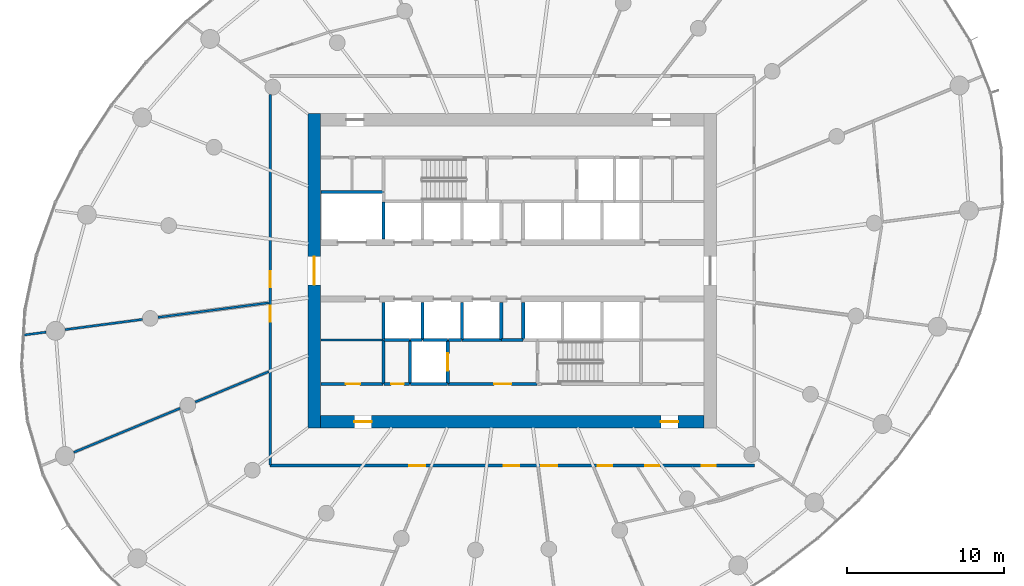
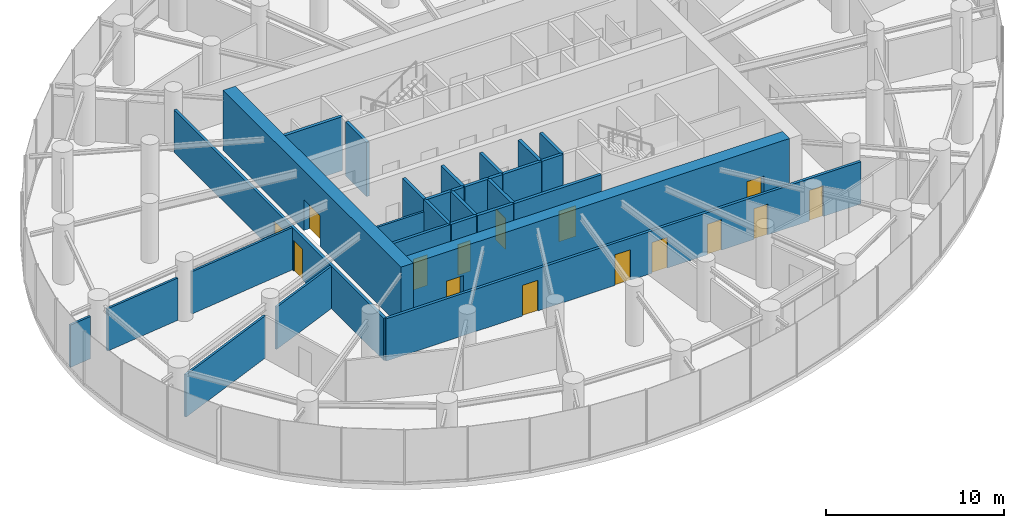
# One storey, part 10 of 17: 30 walls, 15 doors, 15 openings.
"""IFC4 building model written with IfcOpenShell, lengths in metres."""

import ifcopenshell
import ifcopenshell.guid

model = None  # the IFC model being written
_history = None  # IfcOwnerHistory: only IFC2X3 demands one
_inside = {}  # id of a spatial element -> (the spatial element, [elements in it])
_under = {}  # id of a project, library or spatial element -> (it, [spatial elements below it])
_declared = {}  # id of a project -> (the project, [libraries it declares])
_typed = {}  # id of a type object -> (the type object, [elements of that type])
_made_of = {}  # id of a material, layer set ... -> (it, [elements and type objects made of it])


def new_model(schema):
    """Start an empty IFC model of exactly this schema.

    Asked for "IFC4X3", IfcOpenShell would pick the latest addendum, in which some entities
    have other attributes; the version numbers below select the first issue.
    IFC2X3 requires an IfcOwnerHistory on every rooted entity: one is made here for all.
    """
    global model, _history
    if schema == "IFC4X3":
        model = ifcopenshell.file(schema_version=(4, 3, 0, 0))
    else:
        model = ifcopenshell.file(schema=schema)
    _inside.clear()
    _under.clear()
    _declared.clear()
    _typed.clear()
    _made_of.clear()
    _history = None
    if model.schema == "IFC2X3":
        org = make("IfcOrganization", Name="unknown")
        user = make(
            "IfcPersonAndOrganization",
            ThePerson=make("IfcPerson", FamilyName="unknown"),
            TheOrganization=org,
        )
        app = make(
            "IfcApplication",
            ApplicationDeveloper=org,
            Version="unknown",
            ApplicationFullName="unknown",
            ApplicationIdentifier="unknown",
        )
        _history = make(
            "IfcOwnerHistory",
            OwningUser=user,
            OwningApplication=app,
            ChangeAction="ADDED",
            CreationDate=0,
        )
    return model


def make(cls, **values):
    """One entity of the class cls with the attributes given. An attribute that is None is left unset."""
    return model.create_entity(
        cls, **{name: value for name, value in values.items() if value is not None}
    )


def rooted(cls, **values):
    """An entity with a GlobalId (a new one), such as an element, a storey or a relation."""
    return make(cls, GlobalId=ifcopenshell.guid.new(), OwnerHistory=_history, **values)


def si_unit(unit_type, name, prefix=None):
    """IfcSIUnit, for example si_unit("LENGTHUNIT", "METRE", prefix="MILLI")."""
    return make("IfcSIUnit", UnitType=unit_type, Prefix=prefix, Name=name)


def assignment(units):
    """IfcUnitAssignment: the units of a project."""
    return None if units is None else make("IfcUnitAssignment", Units=units)


def point(xyz):
    """IfcCartesianPoint."""
    return None if xyz is None else make("IfcCartesianPoint", Coordinates=xyz)


def direction(xyz):
    """IfcDirection."""
    return None if xyz is None else make("IfcDirection", DirectionRatios=xyz)


def frame(location, z_axis=None, x_axis=None):
    """IfcAxis2Placement3D, a coordinate frame: its origin and axes. An axis left out is left unset."""
    return make(
        "IfcAxis2Placement3D",
        Location=point(location),
        Axis=direction(z_axis),
        RefDirection=direction(x_axis),
    )


def frame_2d(location, x_axis=None):
    """IfcAxis2Placement2D, a coordinate frame in the plane: its origin and x axis."""
    return make(
        "IfcAxis2Placement2D", Location=point(location), RefDirection=direction(x_axis)
    )


def origin():
    """The frame at (0, 0, 0) with its axes left unset."""
    return frame((0.0, 0.0, 0.0))


def place(relative_to, where):
    """IfcLocalPlacement: puts the frame where relative to a parent placement (None: the world)."""
    return make(
        "IfcLocalPlacement", PlacementRelTo=relative_to, RelativePlacement=where
    )


def context(
    kind, dimensions, precision=None, world=None, true_north=None, identifier=None
):
    """IfcGeometricRepresentationContext, for example the 3D "Model" context."""
    return make(
        "IfcGeometricRepresentationContext",
        ContextIdentifier=identifier,
        ContextType=kind,
        CoordinateSpaceDimension=dimensions,
        Precision=precision,
        WorldCoordinateSystem=world,
        TrueNorth=true_north,
    )


def subcontext(parent, identifier, kind, view, scale=None):
    """IfcGeometricRepresentationSubContext, for example "Body" below "Model"."""
    return make(
        "IfcGeometricRepresentationSubContext",
        ContextIdentifier=identifier,
        ContextType=kind,
        ParentContext=parent,
        TargetScale=scale,
        TargetView=view,
    )


def project(units=None, contexts=None):
    """IfcProject with its units and contexts."""
    return rooted(
        "IfcProject",
        Name="project",
        RepresentationContexts=contexts,
        UnitsInContext=assignment(units),
    )


def spatial(cls, under=None, at=None, **own):
    """A site, building, storey or space (cls), placed at a placement, below another one or the project."""
    s = rooted(cls, ObjectPlacement=at, **own)
    if under is not None:
        _under.setdefault(under.id(), (under, []))[1].append(s)
    return s


def profile(cls, at=None, kind="AREA", **sizes):
    """A parametric profile (cls). Its sizes go by their IFC names, for example OverallWidth=200.0."""
    return make(cls, ProfileType=kind, Position=at, **sizes)


def rectangle(**sizes):
    """IfcRectangleProfileDef."""
    return profile("IfcRectangleProfileDef", **sizes)


def extrude(swept, where, along, depth):
    """IfcExtrudedAreaSolid: the profile swept, set in the frame where, extruded along a direction by depth."""
    return make(
        "IfcExtrudedAreaSolid",
        SweptArea=swept,
        Position=where,
        ExtrudedDirection=direction(along),
        Depth=depth,
    )


def shape(context_of_items, identifier, shape_type, items):
    """IfcShapeRepresentation: the items that make up one representation, for example the "Body"."""
    return make(
        "IfcShapeRepresentation",
        ContextOfItems=context_of_items,
        RepresentationIdentifier=identifier,
        RepresentationType=shape_type,
        Items=items,
    )


def source(mapping_origin, context_of_items, identifier, shape_type, items):
    """IfcRepresentationMap: a shape defined once, which mapped items show again and again."""
    return make(
        "IfcRepresentationMap",
        MappingOrigin=mapping_origin,
        MappedRepresentation=shape(context_of_items, identifier, shape_type, items),
    )


def transform(
    local_origin,
    x_axis=None,
    y_axis=None,
    z_axis=None,
    scale=None,
    scale2=None,
    scale3=None,
    uniform=True,
):
    """IfcCartesianTransformationOperator3D, or its non-uniform kind. x_axis, y_axis, z_axis: its Axis1, 2, 3."""
    if uniform:
        return make(
            "IfcCartesianTransformationOperator3D",
            Axis1=direction(x_axis),
            Axis2=direction(y_axis),
            LocalOrigin=point(local_origin),
            Scale=scale,
            Axis3=direction(z_axis),
        )
    return make(
        "IfcCartesianTransformationOperator3DnonUniform",
        Axis1=direction(x_axis),
        Axis2=direction(y_axis),
        LocalOrigin=point(local_origin),
        Scale=scale,
        Axis3=direction(z_axis),
        Scale2=scale2,
        Scale3=scale3,
    )


def mapped(mapping_source, mapping_target):
    """IfcMappedItem: shows the shape of a source again, moved by a transform."""
    return make(
        "IfcMappedItem", MappingSource=mapping_source, MappingTarget=mapping_target
    )


def material(Name=None, Category=None):
    """IfcMaterial."""
    return make("IfcMaterial", Name=Name, Category=Category)


def layer(
    of_material, thickness, ventilated=None, Name=None, Category=None, Priority=None
):
    """IfcMaterialLayer: one layer of a wall or slab, of a material (None: an air gap)."""
    return make(
        "IfcMaterialLayer",
        Material=of_material,
        LayerThickness=thickness,
        IsVentilated=ventilated,
        Name=Name,
        Category=Category,
        Priority=Priority,
    )


def layer_set(layers, Name=None):
    """IfcMaterialLayerSet."""
    return make("IfcMaterialLayerSet", MaterialLayers=layers, LayerSetName=Name)


def made_of(thing, what):
    """Note that an element or type object is made of a material, layer set ...; save() writes the relation."""
    if what is not None:
        _made_of.setdefault(what.id(), (what, []))[1].append(thing)
    return thing


def type_object(cls, material=None, **own):
    """A type object (cls), such as IfcWallType, which elements share."""
    return made_of(rooted(cls, **own), material)


def element(
    cls,
    number,
    at=None,
    inside=None,
    cuts=None,
    type_object=None,
    material=None,
    context=None,
    identifier="Body",
    shape_type=None,
    held_by="IfcProductDefinitionShape",
    body=None,
    shapes=None,
    **own,
):
    """One element of the class cls, such as IfcWall. Its Tag is "e" and its number.

    at: its placement. inside: the storey or other place that contains it. cuts: it is an
    opening in that element (IfcRelVoidsElement). A single representation is given by context,
    identifier, shape_type and body (its items); several are given by shapes. held_by: the class
    of the entity that holds the representations. save() writes the other relations.
    """
    e = rooted(cls, Tag="e%d" % number, ObjectPlacement=at, **own)
    if body is not None:
        shapes = [shape(context, identifier, shape_type, body)]
    if shapes is not None:
        e.Representation = make(held_by, Representations=shapes)
    if inside is not None:
        _inside.setdefault(inside.id(), (inside, []))[1].append(e)
    if cuts is not None:
        rooted(
            "IfcRelVoidsElement", RelatingBuildingElement=cuts, RelatedOpeningElement=e
        )
    if type_object is not None:
        _typed.setdefault(type_object.id(), (type_object, []))[1].append(e)
    return made_of(e, material)


def fill(opening, filler):
    """IfcRelFillsElement: the door or window that sits in an opening."""
    return rooted(
        "IfcRelFillsElement",
        RelatingOpeningElement=opening,
        RelatedBuildingElement=filler,
    )


def aggregate(whole, parts):
    """IfcRelAggregates: a whole, such as a stair, and the parts it consists of."""
    return rooted("IfcRelAggregates", RelatingObject=whole, RelatedObjects=parts)


def save(model, path):
    """Write the relations noted so far, then the file.

    IfcRelAggregates (storeys below a building ...), IfcRelContainedInSpatialStructure (elements
    in a storey), IfcRelDefinesByType, IfcRelAssociatesMaterial and IfcRelDeclares: one each for
    every whole, place, type object, material and project.
    """
    for whole, parts in _under.values():
        aggregate(whole, parts)
    for where, things in _inside.values():
        rooted(
            "IfcRelContainedInSpatialStructure",
            RelatedElements=things,
            RelatingStructure=where,
        )
    for kind, things in _typed.values():
        rooted("IfcRelDefinesByType", RelatedObjects=things, RelatingType=kind)
    for what, things in _made_of.values():
        rooted("IfcRelAssociatesMaterial", RelatedObjects=things, RelatingMaterial=what)
    for by, libraries in _declared.values():
        rooted("IfcRelDeclares", RelatingContext=by, RelatedDefinitions=libraries)
    model.write(path)


model = new_model("IFC4")

# Units and contexts
model_context = context("Model", 3, precision=1e-05, world=origin(), true_north=direction((0.0, 1.0)))
body_context = subcontext(model_context, "Body", "Model", "MODEL_VIEW")
ifc_project = project(units=[si_unit("LENGTHUNIT", "METRE"), si_unit("AREAUNIT", "SQUARE_METRE"), si_unit("VOLUMEUNIT", "CUBIC_METRE"), si_unit("PLANEANGLEUNIT", "RADIAN"), si_unit("MASSUNIT", "GRAM", prefix="KILO")], contexts=[model_context])

# Site, building, storey
site_placement = place(None, origin())
site = spatial("IfcSite", under=ifc_project, at=site_placement, CompositionType="ELEMENT")
building_placement = place(site_placement, origin())
building = spatial("IfcBuilding", under=site, at=building_placement, Name="Spindrift Exchange Tower", CompositionType="ELEMENT")
storey_placement = place(building_placement, frame((0.0, 0.0, 100.300048828125)))
storey = spatial("IfcBuildingStorey", under=building, at=storey_placement, Name="L23", CompositionType="ELEMENT", Elevation=100.300048828125)

# Wall, opening, door
ifc_material_1 = material(Name="Concrete 65 MPa", Category="concrete")
ifc_layer_1 = layer(ifc_material_1, 0.800048828125)
ifc_layer_set_1 = layer_set([ifc_layer_1], Name="RC Core Wall 800 Concrete 65 MPa")
wall_type_1 = type_object("IfcWallType", Name="RC Core Wall 800 Concrete 65 MPa", PredefinedType="SHEAR", material=ifc_layer_set_1)
wall_1_placement = place(storey_placement, frame((39.39990234375, 58.0, 0.0), z_axis=(0.0, 0.0, 1.0), x_axis=(0.0, -1.0, 0.0)))
wall_1 = element("IfcWall", 1, at=wall_1_placement, inside=storey, type_object=wall_type_1, Name="Core wall W L23", PredefinedType="SHEAR", context=body_context, shape_type="SweptSolid", body=[
    extrude(rectangle(XDim=20.0, YDim=0.800048828125, at=frame_2d((10.0, 0.0))), origin(), (0.0, 0.0, 1.0), 4.099853515625),
])
opening_1_placement = place(wall_1_placement, frame((9.10009765625, 0.0, 0.0)))
opening_1 = element("IfcOpeningElement", 2, at=opening_1_placement, cuts=wall_1, Name="Opening L23-D1", PredefinedType="OPENING", context=body_context, shape_type="SweptSolid", body=[
    extrude(rectangle(XDim=1.800048828125, YDim=2.10009765625, at=frame_2d((0.89990234375, 1.050048828125))), frame((0.0, 0.409912109375, 0.0), z_axis=(0.0, -1.0, 0.0), x_axis=(1.0, 0.0, 0.0)), (0.0, 0.0, 1.0), 0.820068359375),
])
ifc_material_2 = material(Name="Timber-core fire door", Category="wood")
door_type_1 = type_object("IfcDoorType", Name="DR-LOBBY-1800", OperationType="NOTDEFINED", PredefinedType="DOOR", material=ifc_material_2)
shared_shape_1 = source(origin(), body_context, "Body", "SweptSolid", [
    extrude(rectangle(XDim=1.800048828125, YDim=2.10009765625, at=frame_2d((0.89990234375, 1.050048828125))), frame((0.0, 0.02490234375, 0.0), z_axis=(0.0, -1.0, 0.0), x_axis=(1.0, 0.0, 0.0)), (0.0, 0.0, 1.0), 0.050048828125),
])
door_1_placement = place(opening_1_placement, origin())
door_1 = element("IfcDoor", 3, at=door_1_placement, inside=storey, type_object=door_type_1, Name="L23 Lobby door 1", OperationType="SINGLE_SWING_LEFT", OverallHeight=2.10009765625, OverallWidth=1.800048828125, PredefinedType="DOOR", context=body_context, shape_type="MappedRepresentation", body=[
    mapped(shared_shape_1, transform((0.0, 0.0, 0.0), scale=1.0)),
])
fill(opening_1, door_1)

# Wall, openings, doors
wall_2_placement = place(storey_placement, frame((39.800048828125, 38.39990234375, 0.0), z_axis=(0.0, 0.0, 1.0), x_axis=(1.0, 0.0, 0.0)))
wall_2 = element("IfcWall", 4, at=wall_2_placement, inside=storey, type_object=wall_type_1, Name="Core wall S L23", PredefinedType="SHEAR", context=body_context, shape_type="SweptSolid", body=[
    extrude(rectangle(XDim=24.39990234375, YDim=0.800048828125, at=frame_2d((12.199951171875, 0.0))), origin(), (0.0, 0.0, 1.0), 4.099853515625),
])
opening_2_placement = place(wall_2_placement, frame((21.64990234375, 0.0, 0.0)))
opening_2 = element("IfcOpeningElement", 5, at=opening_2_placement, cuts=wall_2, Name="Opening L23-D22", PredefinedType="OPENING", context=body_context, shape_type="SweptSolid", body=[
    extrude(rectangle(XDim=1.10009765625, YDim=2.10009765625, at=frame_2d((0.550048828125, 1.050048828125))), frame((0.0, 0.409912109375, 0.0), z_axis=(0.0, -1.0, 0.0), x_axis=(1.0, 0.0, 0.0)), (0.0, 0.0, 1.0), 0.820068359375),
])
opening_3_placement = place(wall_2_placement, frame((2.14990234375, 0.0, 0.0)))
opening_3 = element("IfcOpeningElement", 6, at=opening_3_placement, cuts=wall_2, Name="Opening L23-D23", PredefinedType="OPENING", context=body_context, shape_type="SweptSolid", body=[
    extrude(rectangle(XDim=1.10009765625, YDim=2.10009765625, at=frame_2d((0.550048828125, 1.050048828125))), frame((0.0, 0.409912109375, 0.0), z_axis=(0.0, -1.0, 0.0), x_axis=(1.0, 0.0, 0.0)), (0.0, 0.0, 1.0), 0.820068359375),
])
ifc_material_3 = material(Name="Steel fire door", Category="steel")
door_type_2 = type_object("IfcDoorType", Name="DR-STAIR-1100", OperationType="NOTDEFINED", PredefinedType="DOOR", material=ifc_material_3)
shared_shape_2 = source(origin(), body_context, "Body", "SweptSolid", [
    extrude(rectangle(XDim=1.10009765625, YDim=2.10009765625, at=frame_2d((0.550048828125, 1.050048828125))), frame((0.0, 0.02490234375, 0.0), z_axis=(0.0, -1.0, 0.0), x_axis=(1.0, 0.0, 0.0)), (0.0, 0.0, 1.0), 0.050048828125),
])
door_2_placement = place(opening_2_placement, origin())
door_2 = element("IfcDoor", 7, at=door_2_placement, inside=storey, type_object=door_type_2, Name="L23 Stair door 22", OperationType="SINGLE_SWING_RIGHT", OverallHeight=2.10009765625, OverallWidth=1.10009765625, PredefinedType="DOOR", context=body_context, shape_type="MappedRepresentation", body=[
    mapped(shared_shape_2, transform((0.0, 0.0, 0.0), scale=1.0)),
])
fill(opening_2, door_2)
door_3_placement = place(opening_3_placement, origin())
door_3 = element("IfcDoor", 8, at=door_3_placement, inside=storey, type_object=door_type_2, Name="L23 Stair door 23", OperationType="SINGLE_SWING_LEFT", OverallHeight=2.10009765625, OverallWidth=1.10009765625, PredefinedType="DOOR", context=body_context, shape_type="MappedRepresentation", body=[
    mapped(shared_shape_2, transform((0.0, 0.0, 0.0), scale=1.0)),
])
fill(opening_3, door_3)

# Wall, opening, door
ifc_material_4 = material(Name="Fire-rated plasterboard partition", Category="gypsum")
ifc_layer_2 = layer(ifc_material_4, 0.179931640625)
ifc_layer_set_2 = layer_set([ifc_layer_2], Name="W-CORR-180")
wall_type_2 = type_object("IfcWallType", Name="W-CORR-180", PredefinedType="PARTITIONING", material=ifc_layer_set_2)
wall_3_placement = place(storey_placement, frame((39.820068359375, 40.800048828125, 0.0), z_axis=(0.0, 0.0, 1.0), x_axis=(1.0, 0.0, 0.0)))
wall_3 = element("IfcWall", 9, at=wall_3_placement, inside=storey, type_object=wall_type_2, Name="L23 Partition wall 63", PredefinedType="PARTITIONING", context=body_context, shape_type="SweptSolid", body=[
    extrude(rectangle(XDim=3.949951171875, YDim=0.179931640625, at=frame_2d((1.97509765625, 0.0))), origin(), (0.0, 0.0, 1.0), 3.699951171875),
])
opening_4_placement = place(wall_3_placement, frame((1.60009765625, 0.0, 0.0)))
opening_4 = element("IfcOpeningElement", 10, at=opening_4_placement, cuts=wall_3, Name="Opening L23-D48", PredefinedType="OPENING", context=body_context, shape_type="SweptSolid", body=[
    extrude(rectangle(XDim=0.89990234375, YDim=2.10009765625, at=frame_2d((0.449951171875, 1.050048828125))), frame((0.0, 0.099853515625, 0.0), z_axis=(0.0, -1.0, 0.0), x_axis=(1.0, 0.0, 0.0)), (0.0, 0.0, 1.0), 0.199951171875),
])
ifc_material_5 = material(Name="Steel access door", Category="steel")
door_type_3 = type_object("IfcDoorType", Name="DR-RISER-900", OperationType="NOTDEFINED", PredefinedType="DOOR", material=ifc_material_5)
shared_shape_3 = source(origin(), body_context, "Body", "SweptSolid", [
    extrude(rectangle(XDim=0.89990234375, YDim=2.10009765625, at=frame_2d((0.449951171875, 1.050048828125))), frame((0.0, 0.02490234375, 0.0), z_axis=(0.0, -1.0, 0.0), x_axis=(1.0, 0.0, 0.0)), (0.0, 0.0, 1.0), 0.050048828125),
])
door_4_placement = place(opening_4_placement, origin())
door_4 = element("IfcDoor", 11, at=door_4_placement, inside=storey, type_object=door_type_3, Name="L23 Riser door 48", OperationType="SINGLE_SWING_RIGHT", OverallHeight=2.10009765625, OverallWidth=0.89990234375, PredefinedType="DOOR", context=body_context, shape_type="MappedRepresentation", body=[
    mapped(shared_shape_3, transform((0.0, 0.0, 0.0), scale=1.0)),
])
fill(opening_4, door_4)

# Walls
ifc_layer_3 = layer(ifc_material_4, 0.139892578125)
ifc_layer_set_3 = layer_set([ifc_layer_3], Name="W-PART-140")
wall_type_3 = type_object("IfcWallType", Name="W-PART-140", PredefinedType="PARTITIONING", material=ifc_layer_set_3)
wall_4_placement = place(storey_placement, frame((43.77001953125, 43.60009765625, 0.0), z_axis=(0.0, 0.0, 1.0), x_axis=(-1.0, 0.0, 0.0)))
element("IfcWall", 12, at=wall_4_placement, inside=storey, type_object=wall_type_3, Name="L23 Partition wall 94", PredefinedType="PARTITIONING", context=body_context, shape_type="SweptSolid", body=[
    extrude(rectangle(XDim=3.949951171875, YDim=0.139892578125, at=frame_2d((1.97509765625, 0.0))), origin(), (0.0, 0.0, 1.0), 2.89990234375),
])
ifc_layer_4 = layer(ifc_material_4, 0.139892578125)
ifc_layer_set_4 = layer_set([ifc_layer_4], Name="W-PLANT-140")
wall_type_4 = type_object("IfcWallType", Name="W-PLANT-140", PredefinedType="PARTITIONING", material=ifc_layer_set_4)
wall_5_placement = place(storey_placement, frame((30.8701171875, 39.247802734375, 0.0), z_axis=(0.0, 0.0, 1.0), x_axis=(-0.923871790576, -0.382702122514, 0.0)))
element("IfcWall", 13, at=wall_5_placement, inside=storey, type_object=wall_type_4, Name="L23 Partition wall 67", PredefinedType="PARTITIONING", context=body_context, shape_type="SweptSolid", body=[
    extrude(rectangle(XDim=7.32421875, YDim=0.139892578125, at=frame_2d((3.662109375, 0.0))), origin(), (0.0, 0.0, 1.0), 2.89990234375),
])
wall_6_placement = place(storey_placement, frame((36.510009765625, 45.960693359375, 0.0), z_axis=(0.0, 0.0, 1.0), x_axis=(-0.99144622305, -0.130515848849, 0.0)))
element("IfcWall", 14, at=wall_6_placement, inside=storey, type_object=wall_type_4, Name="L23 Partition wall 68", PredefinedType="PARTITIONING", context=body_context, shape_type="SweptSolid", body=[
    extrude(rectangle(XDim=7.1044921875, YDim=0.139892578125, at=frame_2d((3.55224609375, 0.0))), origin(), (0.0, 0.0, 1.0), 2.89990234375),
])
wall_7_placement = place(storey_placement, frame((36.510009765625, 41.583740234375, 0.0), z_axis=(0.0, 0.0, 1.0), x_axis=(-0.923890025086, -0.382658100067, 0.0)))
element("IfcWall", 15, at=wall_7_placement, inside=storey, type_object=wall_type_4, Name="L23 Partition wall 83", PredefinedType="PARTITIONING", context=body_context, shape_type="SweptSolid", body=[
    extrude(rectangle(XDim=5.068359375, YDim=0.139892578125, at=frame_2d((2.5341796875, 0.0))), origin(), (0.0, 0.0, 1.0), 2.89990234375),
])
wall_8_placement = place(storey_placement, frame((28.466064453125, 44.901611328125, 0.0), z_axis=(0.0, 0.0, 1.0), x_axis=(-0.991443414541, -0.130537181533, 0.0)))
element("IfcWall", 16, at=wall_8_placement, inside=storey, type_object=wall_type_4, Name="L23 Partition wall 85", PredefinedType="PARTITIONING", context=body_context, shape_type="SweptSolid", body=[
    extrude(rectangle(XDim=4.965576171875, YDim=0.139892578125, at=frame_2d((2.48291015625, 0.0))), origin(), (0.0, 0.0, 1.0), 2.89990234375),
])
wall_9_placement = place(storey_placement, frame((22.344482421875, 44.095703125, 0.0), z_axis=(0.0, 0.0, 1.0), x_axis=(-0.991440859851, -0.130556583206, 0.0)))
element("IfcWall", 17, at=wall_9_placement, inside=storey, type_object=wall_type_4, Name="L23 Partition wall 115", PredefinedType="PARTITIONING", context=body_context, shape_type="SweptSolid", body=[
    extrude(rectangle(XDim=1.423095703125, YDim=0.139892578125, at=frame_2d((0.71142578125, 0.0))), origin(), (0.0, 0.0, 1.0), 2.89990234375),
])

# Wall, openings, doors
ifc_layer_5 = layer(ifc_material_4, 0.179931640625)
ifc_layer_set_5 = layer_set([ifc_layer_5], Name="W-PLANT-180")
wall_type_5 = type_object("IfcWallType", Name="W-PLANT-180", PredefinedType="PARTITIONING", material=ifc_layer_set_5)
wall_10_placement = place(storey_placement, frame((67.39990234375, 35.60009765625, 0.0), z_axis=(0.0, 0.0, 1.0), x_axis=(-1.0, 0.0, 0.0)))
wall_10 = element("IfcWall", 18, at=wall_10_placement, inside=storey, type_object=wall_type_5, Name="L23 Partition wall 57", PredefinedType="PARTITIONING", context=body_context, shape_type="SweptSolid", body=[
    extrude(rectangle(XDim=30.7998046875, YDim=0.179931640625, at=frame_2d((15.39990234375, 0.0))), origin(), (0.0, 0.0, 1.0), 2.89990234375),
])
opening_5_placement = place(wall_10_placement, frame((9.050048828125, 0.0, 0.0)))
opening_5 = element("IfcOpeningElement", 19, at=opening_5_placement, cuts=wall_10, Name="Opening L23-D24", PredefinedType="OPENING", context=body_context, shape_type="SweptSolid", body=[
    extrude(rectangle(XDim=0.89990234375, YDim=2.10009765625, at=frame_2d((0.449951171875, 1.050048828125))), frame((0.0, 0.099853515625, 0.0), z_axis=(0.0, -1.0, 0.0), x_axis=(1.0, 0.0, 0.0)), (0.0, 0.0, 1.0), 0.199951171875),
])
opening_6_placement = place(wall_10_placement, frame((6.050048828125, 0.0, 0.0)))
opening_6 = element("IfcOpeningElement", 20, at=opening_6_placement, cuts=wall_10, Name="Opening L23-D25", PredefinedType="OPENING", context=body_context, shape_type="SweptSolid", body=[
    extrude(rectangle(XDim=0.89990234375, YDim=2.10009765625, at=frame_2d((0.449951171875, 1.050048828125))), frame((0.0, 0.099853515625, 0.0), z_axis=(0.0, -1.0, 0.0), x_axis=(1.0, 0.0, 0.0)), (0.0, 0.0, 1.0), 0.199951171875),
])
opening_7_placement = place(wall_10_placement, frame((2.449951171875, 0.0, 0.0)))
opening_7 = element("IfcOpeningElement", 21, at=opening_7_placement, cuts=wall_10, Name="Opening L23-D26", PredefinedType="OPENING", context=body_context, shape_type="SweptSolid", body=[
    extrude(rectangle(XDim=0.89990234375, YDim=2.10009765625, at=frame_2d((0.449951171875, 1.050048828125))), frame((0.0, 0.099853515625, 0.0), z_axis=(0.0, -1.0, 0.0), x_axis=(1.0, 0.0, 0.0)), (0.0, 0.0, 1.0), 0.199951171875),
])
opening_8_placement = place(wall_10_placement, frame((20.949951171875, 0.0, 0.0)))
opening_8 = element("IfcOpeningElement", 22, at=opening_8_placement, cuts=wall_10, Name="Opening L23-D41", PredefinedType="OPENING", context=body_context, shape_type="SweptSolid", body=[
    extrude(rectangle(XDim=1.0, YDim=2.10009765625, at=frame_2d((0.5, 1.050048828125))), frame((0.0, 0.099853515625, 0.0), z_axis=(0.0, -1.0, 0.0), x_axis=(1.0, 0.0, 0.0)), (0.0, 0.0, 1.0), 0.199951171875),
])
opening_9_placement = place(wall_10_placement, frame((14.949951171875, 0.0, 0.0)))
opening_9 = element("IfcOpeningElement", 23, at=opening_9_placement, cuts=wall_10, Name="Opening L23-D43", PredefinedType="OPENING", context=body_context, shape_type="SweptSolid", body=[
    extrude(rectangle(XDim=1.0, YDim=2.10009765625, at=frame_2d((0.5, 1.050048828125))), frame((0.0, 0.099853515625, 0.0), z_axis=(0.0, -1.0, 0.0), x_axis=(1.0, 0.0, 0.0)), (0.0, 0.0, 1.0), 0.199951171875),
])
opening_10_placement = place(wall_10_placement, frame((12.550048828125, 0.0, 0.0)))
opening_10 = element("IfcOpeningElement", 24, at=opening_10_placement, cuts=wall_10, Name="Opening L23-D44", PredefinedType="OPENING", context=body_context, shape_type="SweptSolid", body=[
    extrude(rectangle(XDim=1.0, YDim=2.10009765625, at=frame_2d((0.5, 1.050048828125))), frame((0.0, 0.099853515625, 0.0), z_axis=(0.0, -1.0, 0.0), x_axis=(1.0, 0.0, 0.0)), (0.0, 0.0, 1.0), 0.199951171875),
])
door_type_4 = type_object("IfcDoorType", Name="DR-ROOM-1000", OperationType="NOTDEFINED", PredefinedType="DOOR", material=ifc_material_2)
shared_shape_4 = source(origin(), body_context, "Body", "SweptSolid", [
    extrude(rectangle(XDim=1.0, YDim=2.10009765625, at=frame_2d((0.5, 1.050048828125))), frame((0.0, 0.02490234375, 0.0), z_axis=(0.0, -1.0, 0.0), x_axis=(1.0, 0.0, 0.0)), (0.0, 0.0, 1.0), 0.050048828125),
])
door_5_placement = place(opening_8_placement, origin())
door_5 = element("IfcDoor", 25, at=door_5_placement, inside=storey, type_object=door_type_4, Name="L23 Door 41", OperationType="SINGLE_SWING_LEFT", OverallHeight=2.10009765625, OverallWidth=1.0, PredefinedType="DOOR", context=body_context, shape_type="MappedRepresentation", body=[
    mapped(shared_shape_4, transform((0.0, 0.0, 0.0), scale=1.0)),
])
fill(opening_8, door_5)
door_6_placement = place(opening_9_placement, origin())
door_6 = element("IfcDoor", 26, at=door_6_placement, inside=storey, type_object=door_type_4, Name="L23 Door 43", OperationType="SINGLE_SWING_LEFT", OverallHeight=2.10009765625, OverallWidth=1.0, PredefinedType="DOOR", context=body_context, shape_type="MappedRepresentation", body=[
    mapped(shared_shape_4, transform((0.0, 0.0, 0.0), scale=1.0)),
])
fill(opening_9, door_6)
door_7_placement = place(opening_10_placement, origin())
door_7 = element("IfcDoor", 27, at=door_7_placement, inside=storey, type_object=door_type_4, Name="L23 Door 44", OperationType="SINGLE_SWING_RIGHT", OverallHeight=2.10009765625, OverallWidth=1.0, PredefinedType="DOOR", context=body_context, shape_type="MappedRepresentation", body=[
    mapped(shared_shape_4, transform((0.0, 0.0, 0.0), scale=1.0)),
])
fill(opening_10, door_7)
ifc_material_6 = material(Name="Laminate washroom door", Category="wood")
door_type_5 = type_object("IfcDoorType", Name="DR-WC-900", OperationType="NOTDEFINED", PredefinedType="DOOR", material=ifc_material_6)
shared_shape_5 = source(origin(), body_context, "Body", "SweptSolid", [
    extrude(rectangle(XDim=0.89990234375, YDim=2.10009765625, at=frame_2d((0.449951171875, 1.050048828125))), frame((0.0, 0.02490234375, 0.0), z_axis=(0.0, -1.0, 0.0), x_axis=(1.0, 0.0, 0.0)), (0.0, 0.0, 1.0), 0.050048828125),
])
door_8_placement = place(opening_5_placement, origin())
door_8 = element("IfcDoor", 28, at=door_8_placement, inside=storey, type_object=door_type_5, Name="L23 WC door 24", OperationType="SINGLE_SWING_RIGHT", OverallHeight=2.10009765625, OverallWidth=0.89990234375, PredefinedType="DOOR", context=body_context, shape_type="MappedRepresentation", body=[
    mapped(shared_shape_5, transform((0.0, 0.0, 0.0), scale=1.0)),
])
fill(opening_5, door_8)
door_9_placement = place(opening_6_placement, origin())
door_9 = element("IfcDoor", 29, at=door_9_placement, inside=storey, type_object=door_type_5, Name="L23 WC door 25", OperationType="SINGLE_SWING_LEFT", OverallHeight=2.10009765625, OverallWidth=0.89990234375, PredefinedType="DOOR", context=body_context, shape_type="MappedRepresentation", body=[
    mapped(shared_shape_5, transform((0.0, 0.0, 0.0), scale=1.0)),
])
fill(opening_6, door_9)
door_10_placement = place(opening_7_placement, origin())
door_10 = element("IfcDoor", 30, at=door_10_placement, inside=storey, type_object=door_type_5, Name="L23 WC door 26", OperationType="SINGLE_SWING_RIGHT", OverallHeight=2.10009765625, OverallWidth=0.89990234375, PredefinedType="DOOR", context=body_context, shape_type="MappedRepresentation", body=[
    mapped(shared_shape_5, transform((0.0, 0.0, 0.0), scale=1.0)),
])
fill(opening_7, door_10)

wall_11_placement = place(storey_placement, frame((36.60009765625, 35.6298828125, 0.0), z_axis=(0.0, 0.0, 1.0), x_axis=(0.0, 1.0, 0.0)))
wall_11 = element("IfcWall", 31, at=wall_11_placement, inside=storey, type_object=wall_type_5, Name="L23 Partition wall 60", PredefinedType="PARTITIONING", context=body_context, shape_type="SweptSolid", body=[
    extrude(rectangle(XDim=23.58251953125, YDim=0.179931640625, at=frame_2d((11.791259765625, 0.0))), origin(), (0.0, 0.0, 1.0), 2.89990234375),
])
opening_11_placement = place(wall_11_placement, frame((11.33251953125, 0.0, 0.0)))
opening_11 = element("IfcOpeningElement", 32, at=opening_11_placement, cuts=wall_11, Name="Opening L23-D39", PredefinedType="OPENING", context=body_context, shape_type="SweptSolid", body=[
    extrude(rectangle(XDim=1.0, YDim=2.10009765625, at=frame_2d((0.5, 1.050048828125))), frame((0.0, 0.099853515625, 0.0), z_axis=(0.0, -1.0, 0.0), x_axis=(1.0, 0.0, 0.0)), (0.0, 0.0, 1.0), 0.199951171875),
])
opening_12_placement = place(wall_11_placement, frame((9.132568359375, 0.0, 0.0)))
opening_12 = element("IfcOpeningElement", 33, at=opening_12_placement, cuts=wall_11, Name="Opening L23-D40", PredefinedType="OPENING", context=body_context, shape_type="SweptSolid", body=[
    extrude(rectangle(XDim=1.0, YDim=2.10009765625, at=frame_2d((0.5, 1.050048828125))), frame((0.0, 0.099853515625, 0.0), z_axis=(0.0, -1.0, 0.0), x_axis=(1.0, 0.0, 0.0)), (0.0, 0.0, 1.0), 0.199951171875),
])
door_11_placement = place(opening_11_placement, origin())
door_11 = element("IfcDoor", 34, at=door_11_placement, inside=storey, type_object=door_type_4, Name="L23 Door 39", OperationType="SINGLE_SWING_LEFT", OverallHeight=2.10009765625, OverallWidth=1.0, PredefinedType="DOOR", context=body_context, shape_type="MappedRepresentation", body=[
    mapped(shared_shape_4, transform((0.0, 0.0, 0.0), scale=1.0)),
])
fill(opening_11, door_11)
door_12_placement = place(opening_12_placement, origin())
door_12 = element("IfcDoor", 35, at=door_12_placement, inside=storey, type_object=door_type_4, Name="L23 Door 40", OperationType="SINGLE_SWING_RIGHT", OverallHeight=2.10009765625, OverallWidth=1.0, PredefinedType="DOOR", context=body_context, shape_type="MappedRepresentation", body=[
    mapped(shared_shape_4, transform((0.0, 0.0, 0.0), scale=1.0)),
])
fill(opening_12, door_12)

# Walls
ifc_material_7 = material(Name="Concrete 40 MPa", Category="concrete")
ifc_layer_6 = layer(ifc_material_7, 0.199951171875)
ifc_layer_set_6 = layer_set([ifc_layer_6], Name="W-SHAFT-200")
wall_type_6 = type_object("IfcWallType", Name="W-SHAFT-200", PredefinedType="SOLIDWALL", material=ifc_layer_set_6)
for number, where, z_axis, x_axis, name in (
    (36, (43.800048828125, 43.60009765625, 0.0), (0.0, 0.0, 1.0), (0.0, -1.0, 0.0), "L23 Shaft wall 6"),
    (37, (45.5, 43.60009765625, 0.0), (0.0, 0.0, 1.0), (0.0, -1.0, 0.0), "L23 Shaft wall 7"),
):
    element("IfcWall", number, at=place(storey_placement, frame(where, z_axis=z_axis, x_axis=x_axis)), inside=storey, type_object=wall_type_6, Name=name, PredefinedType="SOLIDWALL", context=body_context, shape_type="SweptSolid", body=[
        extrude(rectangle(XDim=2.800048828125, YDim=0.199951171875, at=frame_2d((1.39990234375, 0.0))), origin(), (0.0, 0.0, 1.0), 3.699951171875),
    ])

# Wall, opening, door
wall_12_placement = place(storey_placement, frame((47.89990234375, 40.830078125, 0.0), z_axis=(0.0, 0.0, 1.0), x_axis=(0.0, 1.0, 0.0)))
wall_12 = element("IfcWall", 38, at=wall_12_placement, inside=storey, type_object=wall_type_6, Name="L23 Shaft wall 8", PredefinedType="SOLIDWALL", context=body_context, shape_type="SweptSolid", body=[
    extrude(rectangle(XDim=2.77001953125, YDim=0.199951171875, at=frame_2d((1.385009765625, 0.0))), origin(), (0.0, 0.0, 1.0), 3.699951171875),
])
opening_13_placement = place(wall_12_placement, frame((0.820068359375, 0.0, 0.0)))
opening_13 = element("IfcOpeningElement", 39, at=opening_13_placement, cuts=wall_12, Name="Opening L23-D10", PredefinedType="OPENING", context=body_context, shape_type="SweptSolid", body=[
    extrude(rectangle(XDim=1.10009765625, YDim=2.10009765625, at=frame_2d((0.550048828125, 1.050048828125))), frame((0.0, 0.10986328125, 0.0), z_axis=(0.0, -1.0, 0.0), x_axis=(1.0, 0.0, 0.0)), (0.0, 0.0, 1.0), 0.219970703125),
])
ifc_material_8 = material(Name="Stainless steel landing door", Category="steel")
door_type_6 = type_object("IfcDoorType", Name="DR-LANDING-1100-SL", OperationType="DOUBLE_DOOR_SLIDING", PredefinedType="USERDEFINED", material=ifc_material_8)
shared_shape_6 = source(origin(), body_context, "Body", "SweptSolid", [
    extrude(rectangle(XDim=1.10009765625, YDim=2.10009765625, at=frame_2d((0.550048828125, 1.050048828125))), frame((0.0, 0.02490234375, 0.0), z_axis=(0.0, -1.0, 0.0), x_axis=(1.0, 0.0, 0.0)), (0.0, 0.0, 1.0), 0.050048828125),
])
door_13_placement = place(opening_13_placement, origin())
door_13 = element("IfcDoor", 40, at=door_13_placement, inside=storey, type_object=door_type_6, Name="L23 Lift landing door 10", ObjectType="LANDING DOOR", OperationType="DOUBLE_DOOR_SLIDING", OverallHeight=2.10009765625, OverallWidth=1.10009765625, PredefinedType="USERDEFINED", context=body_context, shape_type="MappedRepresentation", body=[
    mapped(shared_shape_6, transform((0.0, 0.0, 0.0), scale=1.0)),
])
fill(opening_13, door_13)

# Walls
wall_13_placement = place(storey_placement, frame((48.800048828125, 43.60009765625, 0.0), z_axis=(0.0, 0.0, 1.0), x_axis=(1.0, 0.0, 0.0)))
element("IfcWall", 41, at=wall_13_placement, inside=storey, type_object=wall_type_6, Name="L23 Shaft wall 17", PredefinedType="SOLIDWALL", context=body_context, shape_type="SweptSolid", body=[
    extrude(rectangle(XDim=2.5, YDim=0.199951171875, at=frame_2d((1.25, 0.0))), origin(), (0.0, 0.0, 1.0), 3.699951171875),
])
wall_14_placement = place(storey_placement, frame((45.530029296875, 40.800048828125, 0.0), z_axis=(0.0, 0.0, 1.0), x_axis=(1.0, 0.0, 0.0)))
element("IfcWall", 42, at=wall_14_placement, inside=storey, type_object=wall_type_6, Name="L23 Shaft wall 21", PredefinedType="SOLIDWALL", context=body_context, shape_type="SweptSolid", body=[
    extrude(rectangle(XDim=2.340087890625, YDim=0.199951171875, at=frame_2d((1.169921875, 0.0))), origin(), (0.0, 0.0, 1.0), 3.699951171875),
])
wall_15_placement = place(storey_placement, frame((43.800048828125, 45.989990234375, 0.0), z_axis=(0.0, 0.0, 1.0), x_axis=(0.0, -1.0, 0.0)))
element("IfcWall", 43, at=wall_15_placement, inside=storey, type_object=wall_type_6, Name="L23 Shaft wall 23", PredefinedType="SOLIDWALL", context=body_context, shape_type="SweptSolid", body=[
    extrude(rectangle(XDim=2.360107421875, YDim=0.199951171875, at=frame_2d((1.18017578125, 0.0))), origin(), (0.0, 0.0, 1.0), 3.699951171875),
])
wall_16_placement = place(storey_placement, frame((46.300048828125, 43.60009765625, 0.0), z_axis=(0.0, 0.0, 1.0), x_axis=(0.0, 1.0, 0.0)))
element("IfcWall", 44, at=wall_16_placement, inside=storey, type_object=wall_type_6, Name="L23 Shaft wall 25", PredefinedType="SOLIDWALL", context=body_context, shape_type="SweptSolid", body=[
    extrude(rectangle(XDim=2.389892578125, YDim=0.199951171875, at=frame_2d((1.19482421875, 0.0))), origin(), (0.0, 0.0, 1.0), 3.699951171875),
])
for number, where, z_axis, x_axis, name in (
    (45, (48.800048828125, 43.6298828125, 0.0), (0.0, 0.0, 1.0), (0.0, 1.0, 0.0), "L23 Shaft wall 27"),
    (46, (51.300048828125, 43.6298828125, 0.0), (0.0, 0.0, 1.0), (0.0, 1.0, 0.0), "L23 Shaft wall 29"),
):
    element("IfcWall", number, at=place(storey_placement, frame(where, z_axis=z_axis, x_axis=x_axis)), inside=storey, type_object=wall_type_6, Name=name, PredefinedType="SOLIDWALL", context=body_context, shape_type="SweptSolid", body=[
        extrude(rectangle(XDim=2.360107421875, YDim=0.199951171875, at=frame_2d((1.18017578125, 0.0))), origin(), (0.0, 0.0, 1.0), 3.699951171875),
    ])
wall_17_placement = place(storey_placement, frame((52.699951171875, 45.989990234375, 0.0), z_axis=(0.0, 0.0, 1.0), x_axis=(0.0, -1.0, 0.0)))
element("IfcWall", 47, at=wall_17_placement, inside=storey, type_object=wall_type_6, Name="L23 Shaft wall 31", PredefinedType="SOLIDWALL", context=body_context, shape_type="SweptSolid", body=[
    extrude(rectangle(XDim=2.389892578125, YDim=0.199951171875, at=frame_2d((1.19482421875, 0.0))), origin(), (0.0, 0.0, 1.0), 3.699951171875),
])
wall_18_placement = place(storey_placement, frame((43.830078125, 43.60009765625, 0.0), z_axis=(0.0, 0.0, 1.0), x_axis=(1.0, 0.0, 0.0)))
element("IfcWall", 48, at=wall_18_placement, inside=storey, type_object=wall_type_6, Name="L23 Shaft wall 40", PredefinedType="SOLIDWALL", context=body_context, shape_type="SweptSolid", body=[
    extrude(rectangle(XDim=1.639892578125, YDim=0.199951171875, at=frame_2d((0.81982421875, 0.0))), origin(), (0.0, 0.0, 1.0), 3.699951171875),
])

# Wall, opening, door
wall_19_placement = place(storey_placement, frame((43.830078125, 40.800048828125, 0.0), z_axis=(0.0, 0.0, 1.0), x_axis=(1.0, 0.0, 0.0)))
wall_19 = element("IfcWall", 49, at=wall_19_placement, inside=storey, type_object=wall_type_6, Name="L23 Shaft wall 41", PredefinedType="SOLIDWALL", context=body_context, shape_type="SweptSolid", body=[
    extrude(rectangle(XDim=1.639892578125, YDim=0.199951171875, at=frame_2d((0.81982421875, 0.0))), origin(), (0.0, 0.0, 1.0), 3.699951171875),
])
opening_14_placement = place(wall_19_placement, frame((0.469970703125, 0.0, 0.0)))
opening_14 = element("IfcOpeningElement", 50, at=opening_14_placement, cuts=wall_19, Name="Opening L23-D19", PredefinedType="OPENING", context=body_context, shape_type="SweptSolid", body=[
    extrude(rectangle(XDim=0.800048828125, YDim=2.10009765625, at=frame_2d((0.39990234375, 1.050048828125))), frame((0.0, 0.10986328125, 0.0), z_axis=(0.0, -1.0, 0.0), x_axis=(1.0, 0.0, 0.0)), (0.0, 0.0, 1.0), 0.219970703125),
])
door_type_7 = type_object("IfcDoorType", Name="DR-RISER-800", OperationType="NOTDEFINED", PredefinedType="DOOR", material=ifc_material_5)
shared_shape_7 = source(origin(), body_context, "Body", "SweptSolid", [
    extrude(rectangle(XDim=0.800048828125, YDim=2.10009765625, at=frame_2d((0.39990234375, 1.050048828125))), frame((0.0, 0.02490234375, 0.0), z_axis=(0.0, -1.0, 0.0), x_axis=(1.0, 0.0, 0.0)), (0.0, 0.0, 1.0), 0.050048828125),
])
door_14_placement = place(opening_14_placement, origin())
door_14 = element("IfcDoor", 51, at=door_14_placement, inside=storey, type_object=door_type_7, Name="L23 Riser door 19", OperationType="SINGLE_SWING_LEFT", OverallHeight=2.10009765625, OverallWidth=0.800048828125, PredefinedType="DOOR", context=body_context, shape_type="MappedRepresentation", body=[
    mapped(shared_shape_7, transform((0.0, 0.0, 0.0), scale=1.0)),
])
fill(opening_14, door_14)

# Walls
wall_20_placement = place(storey_placement, frame((46.330078125, 43.60009765625, 0.0), z_axis=(0.0, 0.0, 1.0), x_axis=(1.0, 0.0, 0.0)))
element("IfcWall", 52, at=wall_20_placement, inside=storey, type_object=wall_type_6, Name="L23 Shaft wall 44", PredefinedType="SOLIDWALL", context=body_context, shape_type="SweptSolid", body=[
    extrude(rectangle(XDim=1.5400390625, YDim=0.199951171875, at=frame_2d((0.77001953125, 0.0))), origin(), (0.0, 0.0, 1.0), 3.699951171875),
])
wall_21_placement = place(storey_placement, frame((52.669921875, 43.60009765625, 0.0), z_axis=(0.0, 0.0, 1.0), x_axis=(-1.0, 0.0, 0.0)))
element("IfcWall", 53, at=wall_21_placement, inside=storey, type_object=wall_type_6, Name="L23 Shaft wall 48", PredefinedType="SOLIDWALL", context=body_context, shape_type="SweptSolid", body=[
    extrude(rectangle(XDim=1.33984375, YDim=0.199951171875, at=frame_2d((0.669921875, 0.0))), origin(), (0.0, 0.0, 1.0), 3.699951171875),
])
wall_22_placement = place(storey_placement, frame((47.929931640625, 43.60009765625, 0.0), z_axis=(0.0, 0.0, 1.0), x_axis=(1.0, 0.0, 0.0)))
element("IfcWall", 54, at=wall_22_placement, inside=storey, type_object=wall_type_6, Name="L23 Shaft wall 50", PredefinedType="SOLIDWALL", context=body_context, shape_type="SweptSolid", body=[
    extrude(rectangle(XDim=0.840087890625, YDim=0.199951171875, at=frame_2d((0.419921875, 0.0))), origin(), (0.0, 0.0, 1.0), 3.699951171875),
])
wall_23_placement = place(storey_placement, frame((45.530029296875, 43.60009765625, 0.0), z_axis=(0.0, 0.0, 1.0), x_axis=(1.0, 0.0, 0.0)))
element("IfcWall", 55, at=wall_23_placement, inside=storey, type_object=wall_type_6, Name="L23 Shaft wall 54", PredefinedType="SOLIDWALL", context=body_context, shape_type="SweptSolid", body=[
    extrude(rectangle(XDim=0.739990234375, YDim=0.199951171875, at=frame_2d((0.3701171875, 0.0))), origin(), (0.0, 0.0, 1.0), 3.699951171875),
])

# Wall, opening, door
ifc_layer_7 = layer(ifc_material_7, 0.199951171875)
ifc_layer_set_7 = layer_set([ifc_layer_7], Name="W-SHAFT-200-LB")
wall_type_7 = type_object("IfcWallType", Name="W-SHAFT-200-LB", PredefinedType="SOLIDWALL", material=ifc_layer_set_7)
wall_24_placement = place(storey_placement, frame((47.89990234375, 40.800048828125, 0.0), z_axis=(0.0, 0.0, 1.0), x_axis=(1.0, 0.0, 0.0)))
wall_24 = element("IfcWall", 56, at=wall_24_placement, inside=storey, type_object=wall_type_7, Name="L23 Shaft wall 3", PredefinedType="SOLIDWALL", context=body_context, shape_type="SweptSolid", body=[
    extrude(rectangle(XDim=5.670166015625, YDim=0.199951171875, at=frame_2d((2.8349609375, 0.0))), origin(), (0.0, 0.0, 1.0), 3.699951171875),
])
opening_15_placement = place(wall_24_placement, frame((2.949951171875, 0.0, 0.0)))
opening_15 = element("IfcOpeningElement", 57, at=opening_15_placement, cuts=wall_24, Name="Opening L23-D18", PredefinedType="OPENING", context=body_context, shape_type="SweptSolid", body=[
    extrude(rectangle(XDim=1.10009765625, YDim=2.10009765625, at=frame_2d((0.550048828125, 1.050048828125))), frame((0.0, 0.10986328125, 0.0), z_axis=(0.0, -1.0, 0.0), x_axis=(1.0, 0.0, 0.0)), (0.0, 0.0, 1.0), 0.219970703125),
])
door_type_8 = type_object("IfcDoorType", Name="DR-LOBBY-1100", OperationType="NOTDEFINED", PredefinedType="DOOR", material=ifc_material_2)
shared_shape_8 = source(origin(), body_context, "Body", "SweptSolid", [
    extrude(rectangle(XDim=1.10009765625, YDim=2.10009765625, at=frame_2d((0.550048828125, 1.050048828125))), frame((0.0, 0.02490234375, 0.0), z_axis=(0.0, -1.0, 0.0), x_axis=(1.0, 0.0, 0.0)), (0.0, 0.0, 1.0), 0.050048828125),
])
door_15_placement = place(opening_15_placement, origin())
door_15 = element("IfcDoor", 58, at=door_15_placement, inside=storey, type_object=door_type_8, Name="L23 Lobby door 18", OperationType="SINGLE_SWING_RIGHT", OverallHeight=2.10009765625, OverallWidth=1.10009765625, PredefinedType="DOOR", context=body_context, shape_type="MappedRepresentation", body=[
    mapped(shared_shape_8, transform((0.0, 0.0, 0.0), scale=1.0)),
])
fill(opening_15, door_15)

# Walls
wall_25_placement = place(storey_placement, frame((43.800048828125, 53.0, 0.0), z_axis=(0.0, 0.0, 1.0), x_axis=(-1.0, 0.0, 0.0)))
element("IfcWall", 59, at=wall_25_placement, inside=storey, type_object=wall_type_7, Name="L23 Shaft wall 5", PredefinedType="SOLIDWALL", context=body_context, shape_type="SweptSolid", body=[
    extrude(rectangle(XDim=3.97998046875, YDim=0.199951171875, at=frame_2d((1.989990234375, 0.0))), origin(), (0.0, 0.0, 1.0), 3.699951171875),
])
wall_26_placement = place(storey_placement, frame((43.800048828125, 52.3701171875, 0.0), z_axis=(0.0, 0.0, 1.0), x_axis=(0.0, -1.0, 0.0)))
element("IfcWall", 60, at=wall_26_placement, inside=storey, type_object=wall_type_7, Name="L23 Shaft wall 24", PredefinedType="SOLIDWALL", context=body_context, shape_type="SweptSolid", body=[
    extrude(rectangle(XDim=2.360107421875, YDim=0.199951171875, at=frame_2d((1.18017578125, 0.0))), origin(), (0.0, 0.0, 1.0), 3.699951171875),
])

save(model, "model.ifc")
